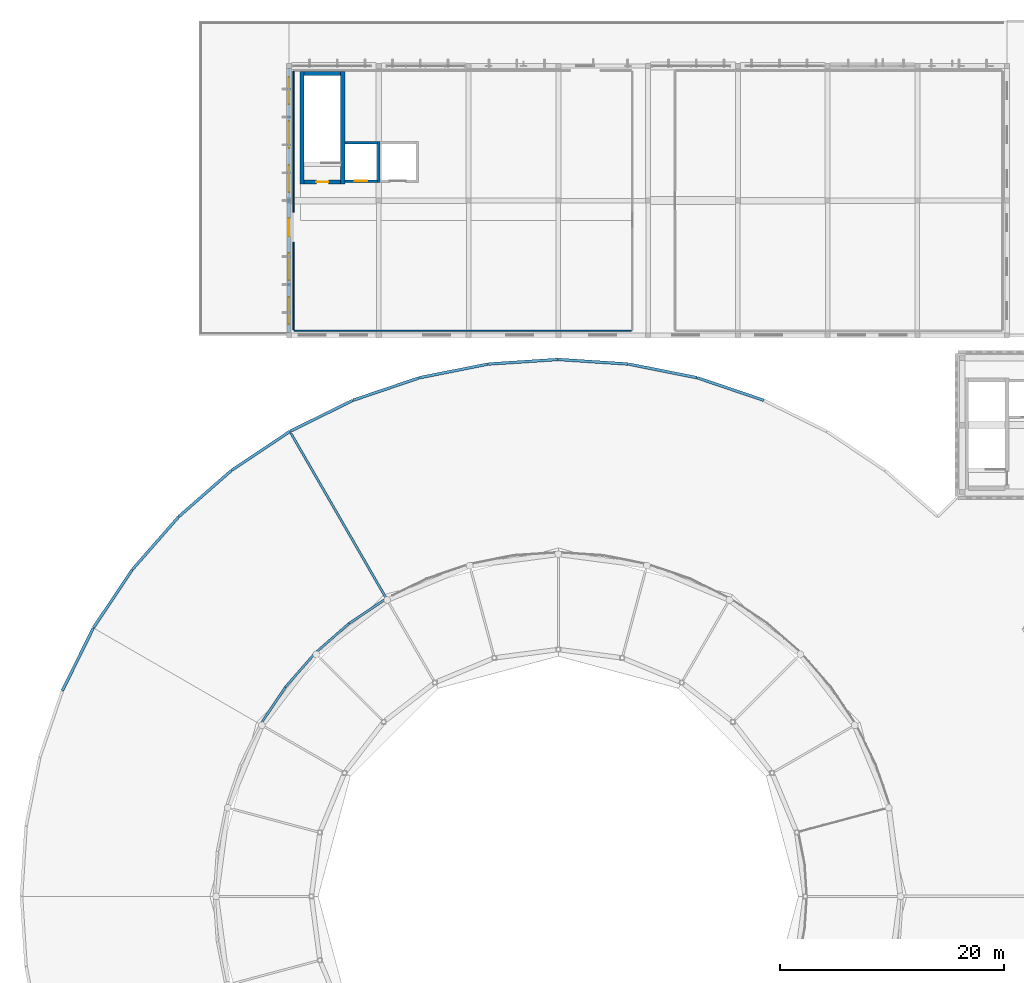
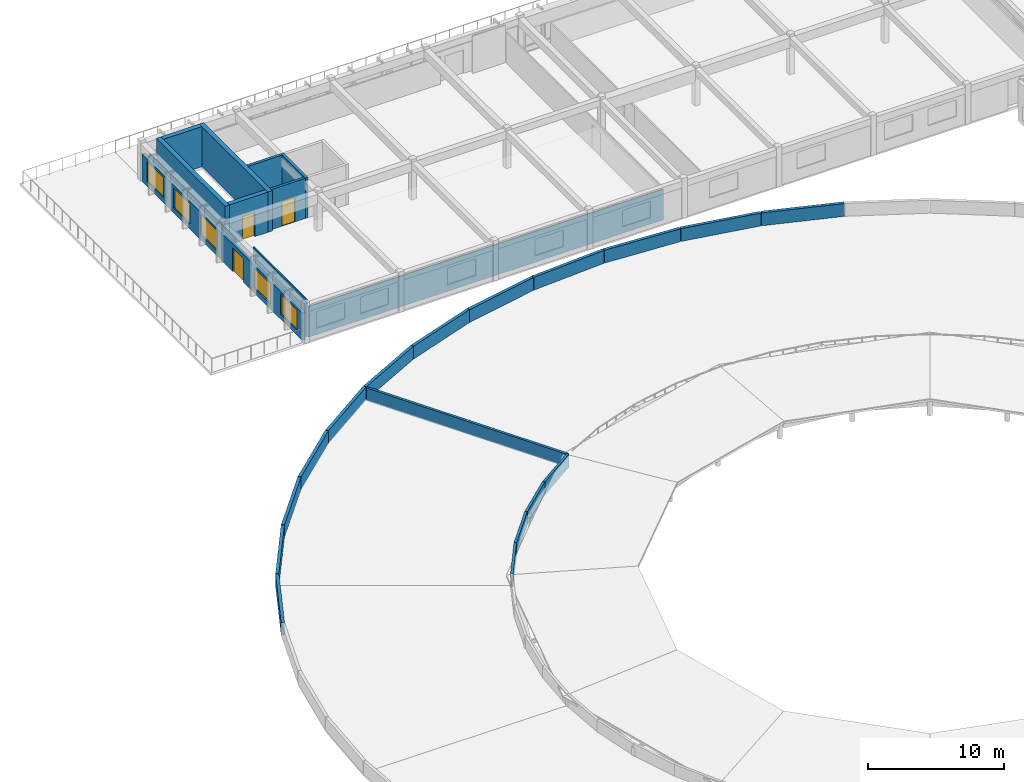
# One storey, part 55 of 77: 28 walls, 5 windows, 3 doors, 8 openings.
"""IFC4 building model written with IfcOpenShell, lengths in metres."""

from ifc_helpers import new_model, si_unit, direction, frame, frame_2d, origin, place, context, subcontext, project, spatial, rectangle, extrude, material, layer, layer_set, type_object, element, fill, save


model = new_model("IFC4")

# Units and contexts
model_context = context("Model", 3, precision=1e-05, world=origin(), true_north=direction((0.0, 1.0)))
body_context = subcontext(model_context, "Body", "Model", "MODEL_VIEW")
ifc_project = project(units=[si_unit("LENGTHUNIT", "METRE"), si_unit("AREAUNIT", "SQUARE_METRE"), si_unit("VOLUMEUNIT", "CUBIC_METRE"), si_unit("PLANEANGLEUNIT", "RADIAN"), si_unit("MASSUNIT", "GRAM", prefix="KILO")], contexts=[model_context])

# Site, building, storey
site_placement = place(None, origin())
site = spatial("IfcSite", under=ifc_project, at=site_placement, CompositionType="ELEMENT")
building_placement = place(site_placement, origin())
building = spatial("IfcBuilding", under=site, at=building_placement, Name="Larkveld Mobility Hub", CompositionType="ELEMENT")
storey_placement = place(building_placement, frame((0.0, 0.0, 12.0)))
storey = spatial("IfcBuildingStorey", under=building, at=storey_placement, Name="L03", CompositionType="ELEMENT", Elevation=12.0)

# Wall, openings, door, windows
ifc_material_1 = material(Name="Precast concrete C50/60", Category="concrete")
ifc_layer_1 = layer(ifc_material_1, 0.27001953125, Name="Precast concrete C50/60", Category="concrete")
ifc_layer_set_1 = layer_set([ifc_layer_1], Name="Precast concrete C50/60")
wall_type_1 = type_object("IfcWallType", Name="WL-EXT-270", PredefinedType="SOLIDWALL", material=ifc_layer_set_1)
wall_1_placement = place(storey_placement, frame((24.0, 121.764892578125, 0.0), z_axis=(0.0, 0.0, 1.0), x_axis=(0.0, -1.0, 0.0)))
wall_1 = element("IfcWall", 1, at=wall_1_placement, inside=storey, type_object=wall_type_1, Name="Bicycle Hall West End Wall L03-0201", PredefinedType="SOLIDWALL", context=body_context, shape_type="SweptSolid", body=[
    extrude(rectangle(XDim=23.52978515625, YDim=0.27001953125, at=frame_2d((11.764892578125, 0.0))), origin(), (0.0, 0.0, 1.0), 2.445068359375),
])
opening_1_placement = place(wall_1_placement, frame((13.341064453125, 0.0, 0.0)))
opening_1 = element("IfcOpeningElement", 2, at=opening_1_placement, cuts=wall_1, Name="Opening ED07", PredefinedType="OPENING", context=body_context, shape_type="SweptSolid", body=[
    extrude(rectangle(XDim=1.60009765625, YDim=2.10009765625, at=frame_2d((0.800048828125, 1.050048828125))), frame((0.0, 0.14501953125, 0.0), z_axis=(0.0, -1.0, 0.0), x_axis=(1.0, 0.0, 0.0)), (0.0, 0.0, 1.0), 0.2900390625),
])
opening_2_placement = place(wall_1_placement, frame((0.760986328125, 0.0, 0.445068359375)))
opening_2 = element("IfcOpeningElement", 3, at=opening_2_placement, cuts=wall_1, Name="Opening W14", PredefinedType="OPENING", context=body_context, shape_type="SweptSolid", body=[
    extrude(rectangle(XDim=2.39990234375, YDim=1.800048828125, at=frame_2d((1.199951171875, 0.89990234375))), frame((0.0, 0.14501953125, 0.0), z_axis=(0.0, -1.0, 0.0), x_axis=(1.0, 0.0, 0.0)), (0.0, 0.0, 1.0), 0.2900390625),
])
opening_3_placement = place(wall_1_placement, frame((4.68310546875, 0.0, 0.445068359375)))
opening_3 = element("IfcOpeningElement", 4, at=opening_3_placement, cuts=wall_1, Name="Opening W14", PredefinedType="OPENING", context=body_context, shape_type="SweptSolid", body=[
    extrude(rectangle(XDim=2.39990234375, YDim=1.800048828125, at=frame_2d((1.199951171875, 0.89990234375))), frame((0.0, 0.14501953125, 0.0), z_axis=(0.0, -1.0, 0.0), x_axis=(1.0, 0.0, 0.0)), (0.0, 0.0, 1.0), 0.2900390625),
])
opening_4_placement = place(wall_1_placement, frame((8.60400390625, 0.0, 0.445068359375)))
opening_4 = element("IfcOpeningElement", 5, at=opening_4_placement, cuts=wall_1, Name="Opening W14", PredefinedType="OPENING", context=body_context, shape_type="SweptSolid", body=[
    extrude(rectangle(XDim=2.39990234375, YDim=1.800048828125, at=frame_2d((1.199951171875, 0.89990234375))), frame((0.0, 0.14501953125, 0.0), z_axis=(0.0, -1.0, 0.0), x_axis=(1.0, 0.0, 0.0)), (0.0, 0.0, 1.0), 0.2900390625),
])
opening_5_placement = place(wall_1_placement, frame((16.447998046875, 0.0, 0.445068359375)))
opening_5 = element("IfcOpeningElement", 6, at=opening_5_placement, cuts=wall_1, Name="Opening W14", PredefinedType="OPENING", context=body_context, shape_type="SweptSolid", body=[
    extrude(rectangle(XDim=2.39990234375, YDim=1.800048828125, at=frame_2d((1.199951171875, 0.89990234375))), frame((0.0, 0.14501953125, 0.0), z_axis=(0.0, -1.0, 0.0), x_axis=(1.0, 0.0, 0.0)), (0.0, 0.0, 1.0), 0.2900390625),
])
opening_6_placement = place(wall_1_placement, frame((20.368896484375, 0.0, 0.445068359375)))
opening_6 = element("IfcOpeningElement", 7, at=opening_6_placement, cuts=wall_1, Name="Opening W14", PredefinedType="OPENING", context=body_context, shape_type="SweptSolid", body=[
    extrude(rectangle(XDim=2.39990234375, YDim=1.800048828125, at=frame_2d((1.199951171875, 0.89990234375))), frame((0.0, 0.14501953125, 0.0), z_axis=(0.0, -1.0, 0.0), x_axis=(1.0, 0.0, 0.0)), (0.0, 0.0, 1.0), 0.2900390625),
])
ifc_material_2 = material(Name="Anodised aluminium glazed terrace door", Category="aluminium")
door_type_1 = type_object("IfcDoorType", Name="DR-EXT-TER16", OperationType="DOUBLE_DOOR_SINGLE_SWING", PredefinedType="DOOR", material=ifc_material_2)
door_1_placement = place(opening_1_placement, origin())
door_1 = element("IfcDoor", 8, at=door_1_placement, inside=storey, type_object=door_type_1, Name="West Cycle Terrace Door L03 EDR-L03-018", OperationType="DOUBLE_DOOR_SINGLE_SWING", OverallHeight=2.10009765625, OverallWidth=1.60009765625, PredefinedType="DOOR", context=body_context, shape_type="SweptSolid", body=[
    extrude(rectangle(XDim=1.60009765625, YDim=2.10009765625, at=frame_2d((0.800048828125, 1.050048828125))), frame((0.0, 0.02490234375, 0.0), z_axis=(0.0, -1.0, 0.0), x_axis=(1.0, 0.0, 0.0)), (0.0, 0.0, 1.0), 0.050048828125),
])
fill(opening_1, door_1)
ifc_material_3 = material(Name="Low-E double glazing in aluminium frame", Category="aluminium")
window_type = type_object("IfcWindowType", Name="WN-ALU-14", PartitioningType="SINGLE_PANEL", PredefinedType="WINDOW", material=ifc_material_3)
window_1_placement = place(opening_2_placement, origin())
window_1 = element("IfcWindow", 9, at=window_1_placement, inside=storey, type_object=window_type, Name="Window W14 (0977)", OverallHeight=1.800048828125, OverallWidth=2.39990234375, PartitioningType="SINGLE_PANEL", PredefinedType="WINDOW", context=body_context, shape_type="SweptSolid", body=[
    extrude(rectangle(XDim=2.39990234375, YDim=1.800048828125, at=frame_2d((1.199951171875, 0.89990234375))), frame((0.0, 0.030029296875, 0.0), z_axis=(0.0, -1.0, 0.0), x_axis=(1.0, 0.0, 0.0)), (0.0, 0.0, 1.0), 0.06005859375),
])
fill(opening_2, window_1)
window_2_placement = place(opening_3_placement, origin())
window_2 = element("IfcWindow", 10, at=window_2_placement, inside=storey, type_object=window_type, Name="Window W14 (0978)", OverallHeight=1.800048828125, OverallWidth=2.39990234375, PartitioningType="SINGLE_PANEL", PredefinedType="WINDOW", context=body_context, shape_type="SweptSolid", body=[
    extrude(rectangle(XDim=2.39990234375, YDim=1.800048828125, at=frame_2d((1.199951171875, 0.89990234375))), frame((0.0, 0.030029296875, 0.0), z_axis=(0.0, -1.0, 0.0), x_axis=(1.0, 0.0, 0.0)), (0.0, 0.0, 1.0), 0.06005859375),
])
fill(opening_3, window_2)
window_3_placement = place(opening_4_placement, origin())
window_3 = element("IfcWindow", 11, at=window_3_placement, inside=storey, type_object=window_type, Name="Window W14 (0979)", OverallHeight=1.800048828125, OverallWidth=2.39990234375, PartitioningType="SINGLE_PANEL", PredefinedType="WINDOW", context=body_context, shape_type="SweptSolid", body=[
    extrude(rectangle(XDim=2.39990234375, YDim=1.800048828125, at=frame_2d((1.199951171875, 0.89990234375))), frame((0.0, 0.030029296875, 0.0), z_axis=(0.0, -1.0, 0.0), x_axis=(1.0, 0.0, 0.0)), (0.0, 0.0, 1.0), 0.06005859375),
])
fill(opening_4, window_3)
window_4_placement = place(opening_5_placement, origin())
window_4 = element("IfcWindow", 12, at=window_4_placement, inside=storey, type_object=window_type, Name="Window W14 (0980)", OverallHeight=1.800048828125, OverallWidth=2.39990234375, PartitioningType="SINGLE_PANEL", PredefinedType="WINDOW", context=body_context, shape_type="SweptSolid", body=[
    extrude(rectangle(XDim=2.39990234375, YDim=1.800048828125, at=frame_2d((1.199951171875, 0.89990234375))), frame((0.0, 0.030029296875, 0.0), z_axis=(0.0, -1.0, 0.0), x_axis=(1.0, 0.0, 0.0)), (0.0, 0.0, 1.0), 0.06005859375),
])
fill(opening_5, window_4)
window_5_placement = place(opening_6_placement, origin())
window_5 = element("IfcWindow", 13, at=window_5_placement, inside=storey, type_object=window_type, Name="Window W14 (0981)", OverallHeight=1.800048828125, OverallWidth=2.39990234375, PartitioningType="SINGLE_PANEL", PredefinedType="WINDOW", context=body_context, shape_type="SweptSolid", body=[
    extrude(rectangle(XDim=2.39990234375, YDim=1.800048828125, at=frame_2d((1.199951171875, 0.89990234375))), frame((0.0, 0.030029296875, 0.0), z_axis=(0.0, -1.0, 0.0), x_axis=(1.0, 0.0, 0.0)), (0.0, 0.0, 1.0), 0.06005859375),
])
fill(opening_6, window_5)

# Walls
ifc_material_4 = material(Name="Fired clay brick 25 MPa", Category="masonry")
ifc_layer_2 = layer(ifc_material_4, 0.199951171875, Name="Fired clay brick 25 MPa", Category="masonry")
ifc_layer_set_2 = layer_set([ifc_layer_2], Name="Fired clay brick 25 MPa")
wall_type_2 = type_object("IfcWallType", Name="WL-PAR-200", PredefinedType="PARAPET", material=ifc_layer_set_2)
wall_2_placement = place(storey_placement, frame((32.675048828125, 74.5439453125, 0.0), z_axis=(0.0, 0.0, 1.0), x_axis=(-0.831431571078, -0.555627161516, 0.0)))
element("IfcWall", 14, at=wall_2_placement, inside=storey, type_object=wall_type_2, Name="Drum Flat Roof Inner Parapet 0296", PredefinedType="PARAPET", context=body_context, shape_type="SweptSolid", body=[
    extrude(rectangle(XDim=4.010009765625, YDim=0.199951171875, at=frame_2d((2.0048828125, 0.0))), origin(), (0.0, 0.0, 1.0), 1.14990234375),
])
for number, where, z_axis, x_axis, name in (
    (15, (29.341064453125, 72.31591796875, 0.0), (0.0, 0.0, 1.0), (-0.75190475676, -0.65927174728, 0.0), "Drum Flat Roof Inner Parapet 0297"),
    (16, (26.326904296875, 69.673095703125, 0.0), (0.0, 0.0, 1.0), (-0.65927174728, -0.75190475676, 0.0), "Drum Flat Roof Inner Parapet 0298"),
):
    element("IfcWall", number, at=place(storey_placement, frame(where, z_axis=z_axis, x_axis=x_axis)), inside=storey, type_object=wall_type_2, Name=name, PredefinedType="PARAPET", context=body_context, shape_type="SweptSolid", body=[
        extrude(rectangle(XDim=4.0087890625, YDim=0.199951171875, at=frame_2d((2.00439453125, 0.0))), origin(), (0.0, 0.0, 1.0), 1.14990234375),
    ])
wall_3_placement = place(storey_placement, frame((23.68408203125, 66.658935546875, 0.0), z_axis=(0.0, 0.0, 1.0), x_axis=(-0.555627161516, -0.831431571078, 0.0)))
element("IfcWall", 17, at=wall_3_placement, inside=storey, type_object=wall_type_2, Name="Drum Flat Roof Inner Parapet 0299", PredefinedType="PARAPET", context=body_context, shape_type="SweptSolid", body=[
    extrude(rectangle(XDim=4.010009765625, YDim=0.199951171875, at=frame_2d((2.0048828125, 0.0))), origin(), (0.0, 0.0, 1.0), 1.14990234375),
])
wall_4_placement = place(storey_placement, frame((32.675048828125, 74.5439453125, 0.0), z_axis=(0.0, 0.0, 1.0), x_axis=(-0.500006721848, 0.866021522889, 0.0)))
element("IfcWall", 18, at=wall_4_placement, inside=storey, type_object=wall_type_2, Name="Drum Flat Roof End Parapet K16 0329", PredefinedType="PARAPET", context=body_context, shape_type="SweptSolid", body=[
    extrude(rectangle(XDim=16.999755859375, YDim=0.199951171875, at=frame_2d((8.5, 0.0))), origin(), (0.0, 0.0, 1.0), 1.14990234375),
])
ifc_layer_3 = layer(ifc_material_4, 0.25, Name="Fired clay brick 25 MPa", Category="masonry")
ifc_layer_set_3 = layer_set([ifc_layer_3], Name="Fired clay brick 25 MPa")
wall_type_3 = type_object("IfcWallType", Name="WL-PAR-250", PredefinedType="PARAPET", material=ifc_layer_set_3)
wall_5_placement = place(storey_placement, frame((66.2880859375, 92.216064453125, 0.0), z_axis=(0.0, 0.0, 1.0), x_axis=(-0.946955417172, 0.321364960579, 0.0)))
element("IfcWall", 19, at=wall_5_placement, inside=storey, type_object=wall_type_3, Name="Drum Uniform Outer Brick Parapet 0257", PredefinedType="PARAPET", context=body_context, shape_type="SweptSolid", body=[
    extrude(rectangle(XDim=6.21044921875, YDim=0.25, at=frame_2d((3.105224609375, 0.0))), origin(), (0.0, 0.0, 1.0), 1.14990234375),
])
wall_6_placement = place(storey_placement, frame((60.360107421875, 94.22509765625, 0.0), z_axis=(0.0, 0.0, 1.0), x_axis=(-0.980799338869, 0.195019632022, 0.0)))
element("IfcWall", 20, at=wall_6_placement, inside=storey, type_object=wall_type_3, Name="Drum Uniform Outer Brick Parapet 0258", PredefinedType="PARAPET", context=body_context, shape_type="SweptSolid", body=[
    extrude(rectangle(XDim=6.209228515625, YDim=0.25, at=frame_2d((3.1044921875, 0.0))), origin(), (0.0, 0.0, 1.0), 1.14990234375),
])
for number, where, z_axis, x_axis, name in (
    (21, (54.221923828125, 95.443115234375, 0.0), (0.0, 0.0, 1.0), (-0.997874164219, 0.065170180182, 0.0), "Drum Uniform Outer Brick Parapet 0259"),
    (22, (47.97607421875, 95.847900390625, 0.0), (0.0, 0.0, 1.0), (-0.997874164219, -0.065170180182, 0.0), "Drum Uniform Outer Brick Parapet 0260"),
):
    element("IfcWall", number, at=place(storey_placement, frame(where, z_axis=z_axis, x_axis=x_axis)), inside=storey, type_object=wall_type_3, Name=name, PredefinedType="PARAPET", context=body_context, shape_type="SweptSolid", body=[
        extrude(rectangle(XDim=6.211181640625, YDim=0.25, at=frame_2d((3.10546875, 0.0))), origin(), (0.0, 0.0, 1.0), 1.14990234375),
    ])
wall_7_placement = place(storey_placement, frame((41.72998046875, 95.43603515625, 0.0), z_axis=(0.0, 0.0, 1.0), x_axis=(-0.980799338869, -0.195019632022, 0.0)))
element("IfcWall", 23, at=wall_7_placement, inside=storey, type_object=wall_type_3, Name="Drum Uniform Outer Brick Parapet 0261", PredefinedType="PARAPET", context=body_context, shape_type="SweptSolid", body=[
    extrude(rectangle(XDim=6.209228515625, YDim=0.25, at=frame_2d((3.1044921875, 0.0))), origin(), (0.0, 0.0, 1.0), 1.14990234375),
])
wall_8_placement = place(storey_placement, frame((35.593017578125, 94.2119140625, 0.0), z_axis=(0.0, 0.0, 1.0), x_axis=(-0.946955417172, -0.321364960579, 0.0)))
element("IfcWall", 24, at=wall_8_placement, inside=storey, type_object=wall_type_3, Name="Drum Uniform Outer Brick Parapet 0262", PredefinedType="PARAPET", context=body_context, shape_type="SweptSolid", body=[
    extrude(rectangle(XDim=6.21044921875, YDim=0.25, at=frame_2d((3.105224609375, 0.0))), origin(), (0.0, 0.0, 1.0), 1.14990234375),
])
for number, where, z_axis, x_axis, name in (
    (25, (29.6669921875, 92.197021484375, 0.0), (0.0, 0.0, 1.0), (-0.896858908126, -0.442316740488, 0.0), "Drum Uniform Outer Brick Parapet 0263"),
    (26, (24.054931640625, 89.426025390625, 0.0), (0.0, 0.0, 1.0), (-0.831426871608, -0.555634193664, 0.0), "Drum Uniform Outer Brick Parapet 0264"),
):
    element("IfcWall", number, at=place(storey_placement, frame(where, z_axis=z_axis, x_axis=x_axis)), inside=storey, type_object=wall_type_3, Name=name, PredefinedType="PARAPET", context=body_context, shape_type="SweptSolid", body=[
        extrude(rectangle(XDim=6.210693359375, YDim=0.25, at=frame_2d((3.10546875, 0.0))), origin(), (0.0, 0.0, 1.0), 1.14990234375),
    ])
for number, where, z_axis, x_axis, name in (
    (27, (18.85302734375, 85.946044921875, 0.0), (0.0, 0.0, 1.0), (-0.751874993266, -0.65930569124, 0.0), "Drum Uniform Outer Brick Parapet 0265"),
    (28, (14.14892578125, 81.81689453125, 0.0), (0.0, 0.0, 1.0), (-0.65930569124, -0.751874993266, 0.0), "Drum Uniform Outer Brick Parapet 0266"),
):
    element("IfcWall", number, at=place(storey_placement, frame(where, z_axis=z_axis, x_axis=x_axis)), inside=storey, type_object=wall_type_3, Name=name, PredefinedType="PARAPET", context=body_context, shape_type="SweptSolid", body=[
        extrude(rectangle(XDim=6.2109375, YDim=0.25, at=frame_2d((3.10546875, 0.0))), origin(), (0.0, 0.0, 1.0), 1.14990234375),
    ])
for number, where, z_axis, x_axis, name in (
    (29, (10.02490234375, 77.10888671875, 0.0), (0.0, 0.0, 1.0), (-0.555634193664, -0.831426871608, 0.0), "Drum Uniform Outer Brick Parapet 0267"),
    (30, (6.550048828125, 71.903076171875, 0.0), (0.0, 0.0, 1.0), (-0.442316740488, -0.896858908126, 0.0), "Drum Uniform Outer Brick Parapet 0268"),
):
    element("IfcWall", number, at=place(storey_placement, frame(where, z_axis=z_axis, x_axis=x_axis)), inside=storey, type_object=wall_type_3, Name=name, PredefinedType="PARAPET", context=body_context, shape_type="SweptSolid", body=[
        extrude(rectangle(XDim=6.210693359375, YDim=0.25, at=frame_2d((3.10546875, 0.0))), origin(), (0.0, 0.0, 1.0), 1.14990234375),
    ])
ifc_material_5 = material(Name="Concrete blockwork masonry 14 MPa", Category="masonry")
ifc_layer_4 = layer(ifc_material_5, 0.10009765625, Name="Concrete blockwork masonry 14 MPa", Category="masonry")
ifc_layer_set_4 = layer_set([ifc_layer_4], Name="Concrete blockwork masonry 14 MPa")
wall_type_4 = type_object("IfcWallType", Name="WL-PRT-100", PredefinedType="PARTITIONING", material=ifc_layer_set_4)
wall_9_placement = place(storey_placement, frame((24.47998046875, 98.405029296875, 0.0), z_axis=(0.0, 0.0, 1.0), x_axis=(1.0, 0.0, 0.0)))
element("IfcWall", 31, at=wall_9_placement, inside=storey, type_object=wall_type_4, Name="Mobility-as-a-Service Innovation Office Hall Partition 0182", PredefinedType="PARTITIONING", context=body_context, shape_type="SweptSolid", body=[
    extrude(rectangle(XDim=30.0400390625, YDim=0.10009765625, at=frame_2d((15.02001953125, 0.0))), origin(), (0.0, 0.0, 1.0), 2.7451171875),
])
wall_10_placement = place(storey_placement, frame((24.39990234375, 98.485107421875, 0.0), z_axis=(0.0, 0.0, 1.0), x_axis=(0.0, 1.0, 0.0)))
element("IfcWall", 32, at=wall_10_placement, inside=storey, type_object=wall_type_4, Name="Mobility-as-a-Service Innovation Office Hall Partition 0185", PredefinedType="PARTITIONING", context=body_context, shape_type="SweptSolid", body=[
    extrude(rectangle(XDim=7.788818359375, YDim=0.10009765625, at=frame_2d((3.89453125, 0.0))), origin(), (0.0, 0.0, 1.0), 3.344970703125),
])
wall_11_placement = place(storey_placement, frame((24.39990234375, 108.97412109375, 0.0), z_axis=(0.0, 0.0, 1.0), x_axis=(0.0, 1.0, 0.0)))
element("IfcWall", 33, at=wall_11_placement, inside=storey, type_object=wall_type_4, Name="Mobility-as-a-Service Innovation Office Hall Partition 0186", PredefinedType="PARTITIONING", context=body_context, shape_type="SweptSolid", body=[
    extrude(rectangle(XDim=12.5458984375, YDim=0.10009765625, at=frame_2d((6.27294921875, 0.0))), origin(), (0.0, 0.0, 1.0), 2.445068359375),
])
ifc_material_6 = material(Name="Concrete C40/50", Category="concrete")
ifc_layer_5 = layer(ifc_material_6, 0.219970703125, Name="Concrete C40/50", Category="concrete")
ifc_layer_set_5 = layer_set([ifc_layer_5], Name="Concrete C40/50")
wall_type_5 = type_object("IfcWallType", Name="WL-SHF-220", PredefinedType="SHEAR", material=ifc_layer_set_5)
wall_12_placement = place(storey_placement, frame((31.989990234375, 115.27001953125, 0.0), z_axis=(0.0, 0.0, 1.0), x_axis=(0.0, -1.0, 0.0)))
element("IfcWall", 34, at=wall_12_placement, inside=storey, type_object=wall_type_5, Name="Lift PL5 Shaft Wall L03-E", PredefinedType="SHEAR", context=body_context, shape_type="SweptSolid", body=[
    extrude(rectangle(XDim=3.64013671875, YDim=0.219970703125, at=frame_2d((1.820068359375, 0.0))), origin(), (0.0, 0.0, 1.0), 3.60009765625),
])

# Wall, opening, door
wall_13_placement = place(storey_placement, frame((31.8798828125, 111.739990234375, 0.0), z_axis=(0.0, 0.0, 1.0), x_axis=(-1.0, 0.0, 0.0)))
wall_13 = element("IfcWall", 35, at=wall_13_placement, inside=storey, type_object=wall_type_5, Name="Lift PL5 Shaft Wall L03-S", PredefinedType="SHEAR", context=body_context, shape_type="SweptSolid", body=[
    extrude(rectangle(XDim=2.89990234375, YDim=0.219970703125, at=frame_2d((1.449951171875, 0.0))), origin(), (0.0, 0.0, 1.0), 3.60009765625),
])
opening_7_placement = place(wall_13_placement, frame((0.89990234375, 0.0, 0.0)))
opening_7 = element("IfcOpeningElement", 36, at=opening_7_placement, cuts=wall_13, Name="Opening LD01", PredefinedType="OPENING", context=body_context, shape_type="SweptSolid", body=[
    extrude(rectangle(XDim=1.10009765625, YDim=2.199951171875, at=frame_2d((0.550048828125, 1.10009765625))), frame((0.0, 0.1201171875, 0.0), z_axis=(0.0, -1.0, 0.0), x_axis=(1.0, 0.0, 0.0)), (0.0, 0.0, 1.0), 0.239990234375),
])
ifc_material_7 = material(Name="Brushed stainless Steel S355JR sliding landing door", Category="steel")
door_type_2 = type_object("IfcDoorType", Name="DR-LD-110", OperationType="DOUBLE_DOOR_SLIDING", PredefinedType="DOOR", material=ifc_material_7)
door_2_placement = place(opening_7_placement, origin())
door_2 = element("IfcDoor", 37, at=door_2_placement, inside=storey, type_object=door_type_2, Name="Lift landing door PL5-L03", OperationType="DOUBLE_DOOR_SLIDING", OverallHeight=2.199951171875, OverallWidth=1.10009765625, PredefinedType="DOOR", context=body_context, shape_type="SweptSolid", body=[
    extrude(rectangle(XDim=1.10009765625, YDim=2.199951171875, at=frame_2d((0.550048828125, 1.10009765625))), frame((0.0, 0.02490234375, 0.0), z_axis=(0.0, -1.0, 0.0), x_axis=(1.0, 0.0, 0.0)), (0.0, 0.0, 1.0), 0.050048828125),
])
fill(opening_7, door_2)

# Walls
wall_14_placement = place(storey_placement, frame((28.97998046875, 115.159912109375, 0.0), z_axis=(0.0, 0.0, 1.0), x_axis=(1.0, 0.0, 0.0)))
element("IfcWall", 38, at=wall_14_placement, inside=storey, type_object=wall_type_5, Name="Lift PL5 Shaft Wall L03-N", PredefinedType="SHEAR", context=body_context, shape_type="SweptSolid", body=[
    extrude(rectangle(XDim=2.89990234375, YDim=0.219970703125, at=frame_2d((1.449951171875, 0.0))), origin(), (0.0, 0.0, 1.0), 3.60009765625),
])
ifc_layer_6 = layer(ifc_material_6, 0.3798828125, Name="Concrete C40/50", Category="concrete")
ifc_layer_set_6 = layer_set([ifc_layer_6], Name="Concrete C40/50")
wall_type_6 = type_object("IfcWallType", Name="WL-SHR-06", PredefinedType="SHEAR", material=ifc_layer_set_6)
for number, where, z_axis, x_axis, name in (
    (39, (25.159912109375, 111.469970703125, 0.0), (0.0, 0.0, 1.0), (0.0, 1.0, 0.0), "Core C6 Stair Shear Wall L03-W"),
    (40, (28.7900390625, 121.530029296875, 0.0), (0.0, 0.0, 1.0), (0.0, -1.0, 0.0), "Core C6 Stair Shear Wall L03-E"),
):
    element("IfcWall", number, at=place(storey_placement, frame(where, z_axis=z_axis, x_axis=x_axis)), inside=storey, type_object=wall_type_6, Name=name, PredefinedType="SHEAR", context=body_context, shape_type="SweptSolid", body=[
        extrude(rectangle(XDim=10.06005859375, YDim=0.3798828125, at=frame_2d((5.030029296875, 0.0))), origin(), (0.0, 0.0, 1.0), 3.60009765625),
    ])

# Wall, opening, door
wall_15_placement = place(storey_placement, frame((28.60009765625, 111.659912109375, 0.0), z_axis=(0.0, 0.0, 1.0), x_axis=(-1.0, 0.0, 0.0)))
wall_15 = element("IfcWall", 41, at=wall_15_placement, inside=storey, type_object=wall_type_6, Name="Core C6 Stair Shear Wall L03-S", PredefinedType="SHEAR", context=body_context, shape_type="SweptSolid", body=[
    extrude(rectangle(XDim=3.25, YDim=0.3798828125, at=frame_2d((1.625, 0.0))), origin(), (0.0, 0.0, 1.0), 3.60009765625),
])
opening_8_placement = place(wall_15_placement, frame((1.10009765625, 0.0, 0.0)))
opening_8 = element("IfcOpeningElement", 42, at=opening_8_placement, cuts=wall_15, Name="Opening DF02", PredefinedType="OPENING", context=body_context, shape_type="SweptSolid", body=[
    extrude(rectangle(XDim=1.050048828125, YDim=2.14990234375, at=frame_2d((0.52490234375, 1.074951171875))), frame((0.0, 0.199951171875, 0.0), z_axis=(0.0, -1.0, 0.0), x_axis=(1.0, 0.0, 0.0)), (0.0, 0.0, 1.0), 0.39990234375),
])
ifc_material_8 = material(Name="Pressed Steel S355JR fire door assembly", Category="steel")
door_type_3 = type_object("IfcDoorType", Name="DR-FD60", OperationType="NOTDEFINED", PredefinedType="DOOR", material=ifc_material_8)
door_3_placement = place(opening_8_placement, origin())
door_3 = element("IfcDoor", 43, at=door_3_placement, inside=storey, type_object=door_type_3, Name="Stair ST6 Fire Door L03", OperationType="SINGLE_SWING_LEFT", OverallHeight=2.14990234375, OverallWidth=1.050048828125, PredefinedType="DOOR", context=body_context, shape_type="SweptSolid", body=[
    extrude(rectangle(XDim=1.050048828125, YDim=2.14990234375, at=frame_2d((0.52490234375, 1.074951171875))), frame((0.0, 0.02490234375, 0.0), z_axis=(0.0, -1.0, 0.0), x_axis=(1.0, 0.0, 0.0)), (0.0, 0.0, 1.0), 0.050048828125),
])
fill(opening_8, door_3)

# Wall
wall_16_placement = place(storey_placement, frame((25.35009765625, 121.340087890625, 0.0), z_axis=(0.0, 0.0, 1.0), x_axis=(1.0, 0.0, 0.0)))
element("IfcWall", 44, at=wall_16_placement, inside=storey, type_object=wall_type_6, Name="Core C6 Stair Shear Wall L03-N", PredefinedType="SHEAR", context=body_context, shape_type="SweptSolid", body=[
    extrude(rectangle(XDim=3.25, YDim=0.3798828125, at=frame_2d((1.625, 0.0))), origin(), (0.0, 0.0, 1.0), 3.60009765625),
])

save(model, "model.ifc")
